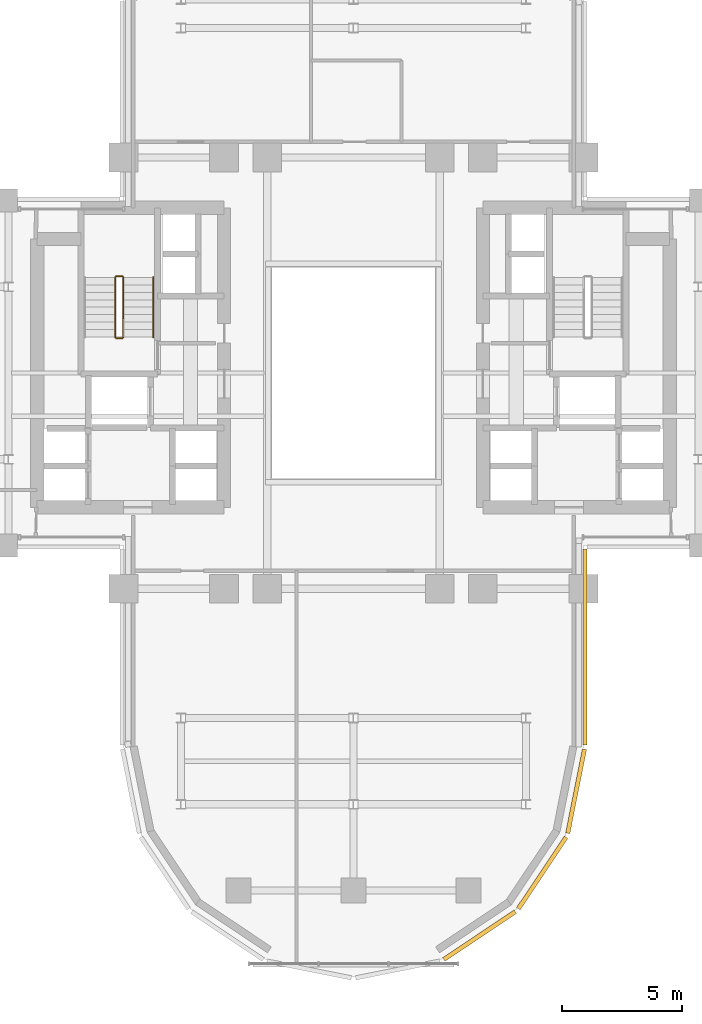
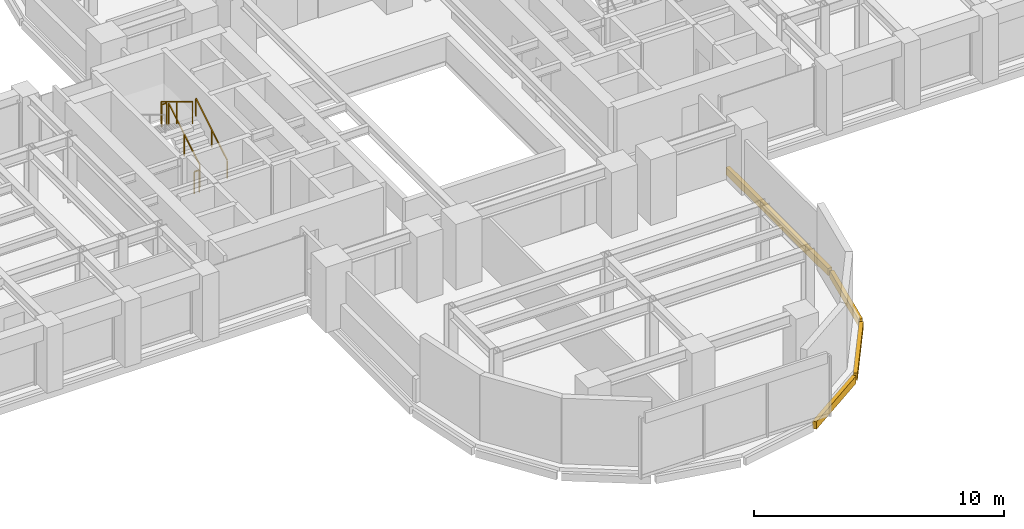
# One storey, part 14 of 16: 5 railings, 4 coverings.
"""IFC4 building model written with IfcOpenShell, lengths in metres."""

import ifcopenshell
import ifcopenshell.guid

model = None  # the IFC model being written
_history = None  # IfcOwnerHistory: only IFC2X3 demands one
_inside = {}  # id of a spatial element -> (the spatial element, [elements in it])
_under = {}  # id of a project, library or spatial element -> (it, [spatial elements below it])
_declared = {}  # id of a project -> (the project, [libraries it declares])
_typed = {}  # id of a type object -> (the type object, [elements of that type])
_made_of = {}  # id of a material, layer set ... -> (it, [elements and type objects made of it])


def new_model(schema):
    """Start an empty IFC model of exactly this schema.

    Asked for "IFC4X3", IfcOpenShell would pick the latest addendum, in which some entities
    have other attributes; the version numbers below select the first issue.
    IFC2X3 requires an IfcOwnerHistory on every rooted entity: one is made here for all.
    """
    global model, _history
    if schema == "IFC4X3":
        model = ifcopenshell.file(schema_version=(4, 3, 0, 0))
    else:
        model = ifcopenshell.file(schema=schema)
    _inside.clear()
    _under.clear()
    _declared.clear()
    _typed.clear()
    _made_of.clear()
    _history = None
    if model.schema == "IFC2X3":
        org = make("IfcOrganization", Name="unknown")
        user = make(
            "IfcPersonAndOrganization",
            ThePerson=make("IfcPerson", FamilyName="unknown"),
            TheOrganization=org,
        )
        app = make(
            "IfcApplication",
            ApplicationDeveloper=org,
            Version="unknown",
            ApplicationFullName="unknown",
            ApplicationIdentifier="unknown",
        )
        _history = make(
            "IfcOwnerHistory",
            OwningUser=user,
            OwningApplication=app,
            ChangeAction="ADDED",
            CreationDate=0,
        )
    return model


def make(cls, **values):
    """One entity of the class cls with the attributes given. An attribute that is None is left unset."""
    return model.create_entity(
        cls, **{name: value for name, value in values.items() if value is not None}
    )


def rooted(cls, **values):
    """An entity with a GlobalId (a new one), such as an element, a storey or a relation."""
    return make(cls, GlobalId=ifcopenshell.guid.new(), OwnerHistory=_history, **values)


def si_unit(unit_type, name, prefix=None):
    """IfcSIUnit, for example si_unit("LENGTHUNIT", "METRE", prefix="MILLI")."""
    return make("IfcSIUnit", UnitType=unit_type, Prefix=prefix, Name=name)


def assignment(units):
    """IfcUnitAssignment: the units of a project."""
    return None if units is None else make("IfcUnitAssignment", Units=units)


def point(xyz):
    """IfcCartesianPoint."""
    return None if xyz is None else make("IfcCartesianPoint", Coordinates=xyz)


def direction(xyz):
    """IfcDirection."""
    return None if xyz is None else make("IfcDirection", DirectionRatios=xyz)


def frame(location, z_axis=None, x_axis=None):
    """IfcAxis2Placement3D, a coordinate frame: its origin and axes. An axis left out is left unset."""
    return make(
        "IfcAxis2Placement3D",
        Location=point(location),
        Axis=direction(z_axis),
        RefDirection=direction(x_axis),
    )


def frame_2d(location, x_axis=None):
    """IfcAxis2Placement2D, a coordinate frame in the plane: its origin and x axis."""
    return make(
        "IfcAxis2Placement2D", Location=point(location), RefDirection=direction(x_axis)
    )


def origin():
    """The frame at (0, 0, 0) with its axes left unset."""
    return frame((0.0, 0.0, 0.0))


def origin_2d():
    """The frame at (0, 0) in the plane with its x axis left unset."""
    return frame_2d((0.0, 0.0))


def place(relative_to, where):
    """IfcLocalPlacement: puts the frame where relative to a parent placement (None: the world)."""
    return make(
        "IfcLocalPlacement", PlacementRelTo=relative_to, RelativePlacement=where
    )


def context(
    kind, dimensions, precision=None, world=None, true_north=None, identifier=None
):
    """IfcGeometricRepresentationContext, for example the 3D "Model" context."""
    return make(
        "IfcGeometricRepresentationContext",
        ContextIdentifier=identifier,
        ContextType=kind,
        CoordinateSpaceDimension=dimensions,
        Precision=precision,
        WorldCoordinateSystem=world,
        TrueNorth=true_north,
    )


def subcontext(parent, identifier, kind, view, scale=None):
    """IfcGeometricRepresentationSubContext, for example "Body" below "Model"."""
    return make(
        "IfcGeometricRepresentationSubContext",
        ContextIdentifier=identifier,
        ContextType=kind,
        ParentContext=parent,
        TargetScale=scale,
        TargetView=view,
    )


def project(units=None, contexts=None):
    """IfcProject with its units and contexts."""
    return rooted(
        "IfcProject",
        Name="project",
        RepresentationContexts=contexts,
        UnitsInContext=assignment(units),
    )


def spatial(cls, under=None, at=None, **own):
    """A site, building, storey or space (cls), placed at a placement, below another one or the project."""
    s = rooted(cls, ObjectPlacement=at, **own)
    if under is not None:
        _under.setdefault(under.id(), (under, []))[1].append(s)
    return s


def profile(cls, at=None, kind="AREA", **sizes):
    """A parametric profile (cls). Its sizes go by their IFC names, for example OverallWidth=200.0."""
    return make(cls, ProfileType=kind, Position=at, **sizes)


def rectangle(**sizes):
    """IfcRectangleProfileDef."""
    return profile("IfcRectangleProfileDef", **sizes)


def extrude(swept, where, along, depth):
    """IfcExtrudedAreaSolid: the profile swept, set in the frame where, extruded along a direction by depth."""
    return make(
        "IfcExtrudedAreaSolid",
        SweptArea=swept,
        Position=where,
        ExtrudedDirection=direction(along),
        Depth=depth,
    )


def shape(context_of_items, identifier, shape_type, items):
    """IfcShapeRepresentation: the items that make up one representation, for example the "Body"."""
    return make(
        "IfcShapeRepresentation",
        ContextOfItems=context_of_items,
        RepresentationIdentifier=identifier,
        RepresentationType=shape_type,
        Items=items,
    )


def source(mapping_origin, context_of_items, identifier, shape_type, items):
    """IfcRepresentationMap: a shape defined once, which mapped items show again and again."""
    return make(
        "IfcRepresentationMap",
        MappingOrigin=mapping_origin,
        MappedRepresentation=shape(context_of_items, identifier, shape_type, items),
    )


def transform(
    local_origin,
    x_axis=None,
    y_axis=None,
    z_axis=None,
    scale=None,
    scale2=None,
    scale3=None,
    uniform=True,
):
    """IfcCartesianTransformationOperator3D, or its non-uniform kind. x_axis, y_axis, z_axis: its Axis1, 2, 3."""
    if uniform:
        return make(
            "IfcCartesianTransformationOperator3D",
            Axis1=direction(x_axis),
            Axis2=direction(y_axis),
            LocalOrigin=point(local_origin),
            Scale=scale,
            Axis3=direction(z_axis),
        )
    return make(
        "IfcCartesianTransformationOperator3DnonUniform",
        Axis1=direction(x_axis),
        Axis2=direction(y_axis),
        LocalOrigin=point(local_origin),
        Scale=scale,
        Axis3=direction(z_axis),
        Scale2=scale2,
        Scale3=scale3,
    )


def mapped(mapping_source, mapping_target):
    """IfcMappedItem: shows the shape of a source again, moved by a transform."""
    return make(
        "IfcMappedItem", MappingSource=mapping_source, MappingTarget=mapping_target
    )


def material(Name=None, Category=None):
    """IfcMaterial."""
    return make("IfcMaterial", Name=Name, Category=Category)


def layer(
    of_material, thickness, ventilated=None, Name=None, Category=None, Priority=None
):
    """IfcMaterialLayer: one layer of a wall or slab, of a material (None: an air gap)."""
    return make(
        "IfcMaterialLayer",
        Material=of_material,
        LayerThickness=thickness,
        IsVentilated=ventilated,
        Name=Name,
        Category=Category,
        Priority=Priority,
    )


def layer_set(layers, Name=None):
    """IfcMaterialLayerSet."""
    return make("IfcMaterialLayerSet", MaterialLayers=layers, LayerSetName=Name)


def made_of(thing, what):
    """Note that an element or type object is made of a material, layer set ...; save() writes the relation."""
    if what is not None:
        _made_of.setdefault(what.id(), (what, []))[1].append(thing)
    return thing


def type_object(cls, material=None, **own):
    """A type object (cls), such as IfcWallType, which elements share."""
    return made_of(rooted(cls, **own), material)


def element(
    cls,
    number,
    at=None,
    inside=None,
    cuts=None,
    type_object=None,
    material=None,
    context=None,
    identifier="Body",
    shape_type=None,
    held_by="IfcProductDefinitionShape",
    body=None,
    shapes=None,
    **own,
):
    """One element of the class cls, such as IfcWall. Its Tag is "e" and its number.

    at: its placement. inside: the storey or other place that contains it. cuts: it is an
    opening in that element (IfcRelVoidsElement). A single representation is given by context,
    identifier, shape_type and body (its items); several are given by shapes. held_by: the class
    of the entity that holds the representations. save() writes the other relations.
    """
    e = rooted(cls, Tag="e%d" % number, ObjectPlacement=at, **own)
    if body is not None:
        shapes = [shape(context, identifier, shape_type, body)]
    if shapes is not None:
        e.Representation = make(held_by, Representations=shapes)
    if inside is not None:
        _inside.setdefault(inside.id(), (inside, []))[1].append(e)
    if cuts is not None:
        rooted(
            "IfcRelVoidsElement", RelatingBuildingElement=cuts, RelatedOpeningElement=e
        )
    if type_object is not None:
        _typed.setdefault(type_object.id(), (type_object, []))[1].append(e)
    return made_of(e, material)


def aggregate(whole, parts):
    """IfcRelAggregates: a whole, such as a stair, and the parts it consists of."""
    return rooted("IfcRelAggregates", RelatingObject=whole, RelatedObjects=parts)


def save(model, path):
    """Write the relations noted so far, then the file.

    IfcRelAggregates (storeys below a building ...), IfcRelContainedInSpatialStructure (elements
    in a storey), IfcRelDefinesByType, IfcRelAssociatesMaterial and IfcRelDeclares: one each for
    every whole, place, type object, material and project.
    """
    for whole, parts in _under.values():
        aggregate(whole, parts)
    for where, things in _inside.values():
        rooted(
            "IfcRelContainedInSpatialStructure",
            RelatedElements=things,
            RelatingStructure=where,
        )
    for kind, things in _typed.values():
        rooted("IfcRelDefinesByType", RelatedObjects=things, RelatingType=kind)
    for what, things in _made_of.values():
        rooted("IfcRelAssociatesMaterial", RelatedObjects=things, RelatingMaterial=what)
    for by, libraries in _declared.values():
        rooted("IfcRelDeclares", RelatingContext=by, RelatedDefinitions=libraries)
    model.write(path)


model = new_model("IFC4")

# Units and contexts
model_context = context("Model", 3, precision=1e-05, world=origin(), true_north=direction((0.0, 1.0)))
body_context = subcontext(model_context, "Body", "Model", "MODEL_VIEW")
ifc_project = project(units=[si_unit("LENGTHUNIT", "METRE"), si_unit("AREAUNIT", "SQUARE_METRE"), si_unit("VOLUMEUNIT", "CUBIC_METRE"), si_unit("PLANEANGLEUNIT", "RADIAN"), si_unit("MASSUNIT", "GRAM", prefix="KILO")], contexts=[model_context])

# Site, building, storey
site_placement = place(None, origin())
site = spatial("IfcSite", under=ifc_project, at=site_placement, CompositionType="ELEMENT")
building_placement = place(site_placement, origin())
building = spatial("IfcBuilding", under=site, at=building_placement, Name="Keilestroom Media Tower", CompositionType="ELEMENT")
storey_placement = place(building_placement, frame((0.0, 0.0, 37.39990234375)))
storey = spatial("IfcBuildingStorey", under=building, at=storey_placement, Name="L08", CompositionType="ELEMENT", Elevation=37.39990234375)

# Railings
ifc_material_1 = material(Name="Brushed Stainless Steel 1.4301", Category="steel")
railing_type_1 = type_object("IfcRailingType", Name="Stair-Pitch-Handrail-920", PredefinedType="HANDRAIL", material=ifc_material_1)
railing_1_placement = place(storey_placement, frame((-8.35009765625, 1.5, 0.18896484375)))
element("IfcRailing", 1, at=railing_1_placement, inside=storey, type_object=railing_type_1, Name="L08 ST-1 stair handrail 1", PredefinedType="HANDRAIL", context=body_context, shape_type="SweptSolid", body=[
    extrude(rectangle(XDim=0.048095703125, YDim=0.048095703125, at=origin_2d()), frame((0.0, 0.0, 0.8759765625), z_axis=(0.0, 0.855433747314, 0.517912255074), x_axis=(-1.0, 0.0, 0.0)), (0.0, 0.0, 1.0), 2.91796875),
    extrude(rectangle(XDim=0.0419921875, YDim=0.0419921875, at=origin_2d()), origin(), (0.0, 0.0, 1.0), 0.84375),
    extrude(rectangle(XDim=0.0419921875, YDim=0.0419921875, at=origin_2d()), frame((0.0, 1.248046875, 0.755615234375)), (0.0, 0.0, 1.0), 0.84375),
    extrude(rectangle(XDim=0.0419921875, YDim=0.0419921875, at=origin_2d()), frame((0.0, 2.49609375, 1.51123046875)), (0.0, 0.0, 1.0), 0.84375),
])
ifc_material_2 = material(Name="Painted Steel Balustrade", Category="steel")
railing_type_2 = type_object("IfcRailingType", Name="Stair-Well-And-Landing-Guard-1100", PredefinedType="GUARDRAIL", material=ifc_material_2)
railing_2_placement = place(storey_placement, frame((-9.610107421875, 1.5, 0.18896484375)))
element("IfcRailing", 2, at=railing_2_placement, inside=storey, type_object=railing_type_2, Name="L08 ST-1 stair guard 1", PredefinedType="GUARDRAIL", context=body_context, shape_type="SweptSolid", body=[
    extrude(rectangle(XDim=0.048095703125, YDim=0.048095703125, at=origin_2d()), frame((0.0, 0.0, 1.076171875), z_axis=(0.0, 0.855433747314, 0.517912255074), x_axis=(-1.0, 0.0, 0.0)), (0.0, 0.0, 1.0), 2.91796875),
    extrude(rectangle(XDim=0.0419921875, YDim=0.0419921875, at=origin_2d()), origin(), (0.0, 0.0, 1.0), 1.0439453125),
    extrude(rectangle(XDim=0.0419921875, YDim=0.0419921875, at=origin_2d()), frame((0.0, 1.248046875, 0.755615234375)), (0.0, 0.0, 1.0), 1.0439453125),
    extrude(rectangle(XDim=0.0419921875, YDim=0.0419921875, at=origin_2d()), frame((0.0, 2.49609375, 1.51123046875)), (0.0, 0.0, 1.0), 1.0439453125),
])
railing_3_placement = place(storey_placement, frame((-9.659912109375, 4.0458984375, 1.7001953125)))
element("IfcRailing", 3, at=railing_3_placement, inside=storey, type_object=railing_type_2, Name="L08 ST-1 stair guard 2", PredefinedType="GUARDRAIL", context=body_context, shape_type="SweptSolid", body=[
    extrude(rectangle(XDim=0.048095703125, YDim=0.048095703125, at=origin_2d()), frame((0.0, 0.0, 1.076171875), z_axis=(-1.0, 0.0, 0.0), x_axis=(0.0, -1.0, 0.0)), (0.0, 0.0, 1.0), 0.239990234375),
    extrude(rectangle(XDim=0.0419921875, YDim=0.0419921875, at=origin_2d()), origin(), (0.0, 0.0, 1.0), 1.0439453125),
    extrude(rectangle(XDim=0.0419921875, YDim=0.0419921875, at=origin_2d()), frame((-0.239990234375, 0.0, 0.0)), (0.0, 0.0, 1.0), 1.0439453125),
])
railing_4_placement = place(storey_placement, frame((-9.949951171875, 3.99609375, 1.888916015625)))
element("IfcRailing", 4, at=railing_4_placement, inside=storey, type_object=railing_type_2, Name="L08 ST-1 stair guard 3", PredefinedType="GUARDRAIL", context=body_context, shape_type="SweptSolid", body=[
    extrude(rectangle(XDim=0.048095703125, YDim=0.048095703125, at=origin_2d()), frame((0.0, 0.0, 1.076171875), z_axis=(0.0, -0.855433747314, 0.517912255074), x_axis=(1.0, 0.0, 0.0)), (0.0, 0.0, 1.0), 2.91796875),
    extrude(rectangle(XDim=0.0419921875, YDim=0.0419921875, at=origin_2d()), origin(), (0.0, 0.0, 1.0), 1.0439453125),
    extrude(rectangle(XDim=0.0419921875, YDim=0.0419921875, at=origin_2d()), frame((0.0, -1.248046875, 0.755615234375)), (0.0, 0.0, 1.0), 1.0439453125),
    extrude(rectangle(XDim=0.0419921875, YDim=0.0419921875, at=origin_2d()), frame((0.0, -2.49609375, 1.51123046875)), (0.0, 0.0, 1.0), 1.0439453125),
])
railing_5_placement = place(storey_placement, frame((-9.659912109375, 1.449951171875, 0.0)))
element("IfcRailing", 5, at=railing_5_placement, inside=storey, type_object=railing_type_2, Name="L08 ST-1 stair guard 4", PredefinedType="GUARDRAIL", context=body_context, shape_type="SweptSolid", body=[
    extrude(rectangle(XDim=0.048095703125, YDim=0.048095703125, at=origin_2d()), frame((0.0, 0.0, 1.076171875), z_axis=(-1.0, 0.0, 0.0), x_axis=(0.0, -1.0, 0.0)), (0.0, 0.0, 1.0), 0.239990234375),
    extrude(rectangle(XDim=0.0419921875, YDim=0.0419921875, at=origin_2d()), origin(), (0.0, 0.0, 1.0), 1.0439453125),
    extrude(rectangle(XDim=0.0419921875, YDim=0.0419921875, at=origin_2d()), frame((-0.239990234375, 0.0, 0.0)), (0.0, 0.0, 1.0), 1.0439453125),
])

# Coverings
ifc_material_3 = material(Name="Precast concrete C40/50", Category="concrete")
ifc_layer = layer(ifc_material_3, 0.1201171875)
ifc_layer_set = layer_set([ifc_layer], Name="Precast concrete C40/50")
covering_type = type_object("IfcCoveringType", Name="Exterior-Precast-Spandrel-Cladding-Panel-120", PredefinedType="CLADDING", material=ifc_layer_set)
shared_shape_1 = source(origin(), body_context, "Body", "SweptSolid", [
    extrude(rectangle(XDim=8.166015625, YDim=0.179931640625, at=origin_2d()), origin(), (0.0, 0.0, 1.0), 0.360107421875),
])
covering_1_placement = place(storey_placement, frame((9.659912109375, -11.43310546875, -0.5400390625), z_axis=(0.0, 0.0, 1.0), x_axis=(0.0, -1.0, 0.0)))
element("IfcCovering", 6, at=covering_1_placement, inside=storey, type_object=covering_type, Name="L08 Precast Slab-Edge Fascia Cornice 06", PredefinedType="CLADDING", context=body_context, shape_type="MappedRepresentation", body=[
    mapped(shared_shape_1, transform((0.0, 0.0, 0.0), x_axis=(1.0, 0.0, 0.0), y_axis=(0.0, 1.0, 0.0), z_axis=(0.0, 0.0, 1.0), scale=1.0)),
])
shared_shape_2 = source(origin(), body_context, "Body", "SweptSolid", [
    extrude(rectangle(XDim=3.58349609375, YDim=0.179931640625, at=origin_2d()), origin(), (0.0, 0.0, 1.0), 0.360107421875),
])
covering_2_placement = place(storey_placement, frame((9.29296875, -17.45166015625, -0.5400390625), z_axis=(0.0, 0.0, 1.0), x_axis=(-0.195098880975, -0.980783577882, 0.0)))
element("IfcCovering", 7, at=covering_2_placement, inside=storey, type_object=covering_type, Name="L08 Precast Slab-Edge Fascia Cornice 07", PredefinedType="CLADDING", context=body_context, shape_type="MappedRepresentation", body=[
    mapped(shared_shape_2, transform((0.0, 0.0, 0.0), x_axis=(1.0, 0.0, 0.0), y_axis=(0.0, 1.0, 0.0), z_axis=(0.0, 0.0, 1.0), scale=1.0)),
])
shared_shape_3 = source(origin(), body_context, "Body", "SweptSolid", [
    extrude(rectangle(XDim=3.589599609375, YDim=0.179931640625, at=origin_2d()), origin(), (0.0, 0.0, 1.0), 0.360107421875),
])
for number, where, z_axis, x_axis, name in (
    (8, (7.878662109375, -20.8642578125, -0.5400390625), (0.0, 0.0, 1.0), (-0.555574586577, -0.831466703332, 0.0), "L08 Precast Slab-Edge Fascia Cornice 08"),
    (9, (5.264404296875, -23.478515625, -0.5400390625), (0.0, 0.0, 1.0), (-0.831466703332, -0.555574586577, 0.0), "L08 Precast Slab-Edge Fascia Cornice 09"),
):
    element("IfcCovering", number, at=place(storey_placement, frame(where, z_axis=z_axis, x_axis=x_axis)), inside=storey, type_object=covering_type, Name=name, PredefinedType="CLADDING", context=body_context, shape_type="MappedRepresentation", body=[
        mapped(shared_shape_3, transform((0.0, 0.0, 0.0), x_axis=(1.0, 0.0, 0.0), y_axis=(0.0, 1.0, 0.0), z_axis=(0.0, 0.0, 1.0), scale=1.0)),
    ])

save(model, "model.ifc")
